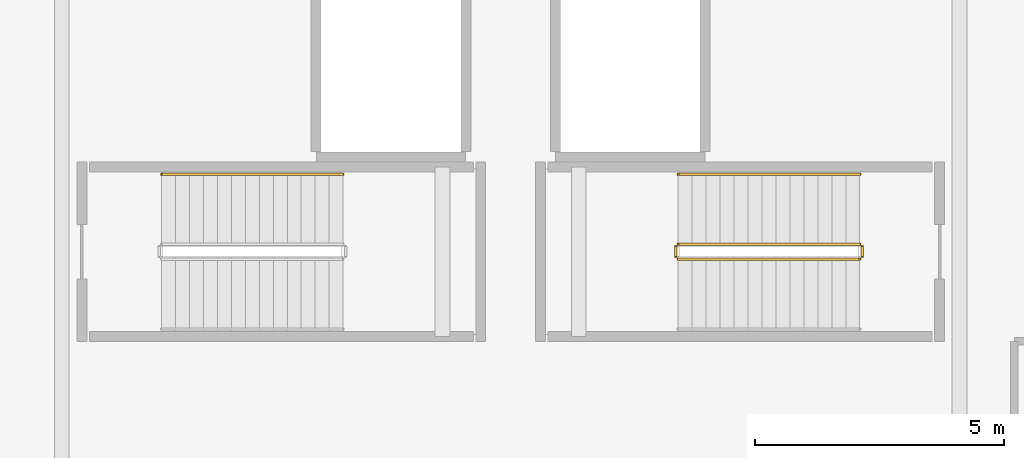
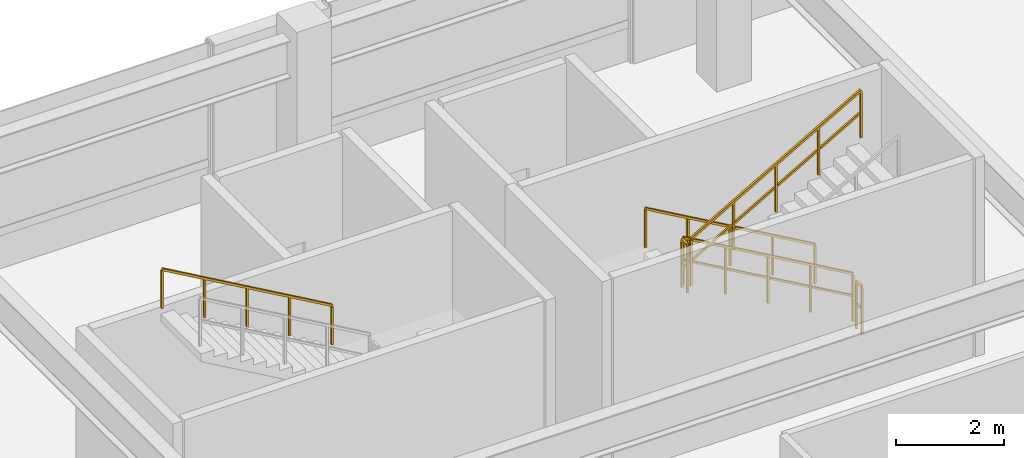
# One storey, part 23 of 24: 6 railings.
"""IFC4 building model written with IfcOpenShell, lengths in metres."""

from ifc_helpers import new_model, si_unit, direction, frame, origin, origin_2d, place, context, subcontext, project, spatial, rectangle, extrude, material, type_object, element, save


model = new_model("IFC4")

# Units and contexts
model_context = context("Model", 3, precision=1e-05, world=origin(), true_north=direction((0.0, 1.0)))
body_context = subcontext(model_context, "Body", "Model", "MODEL_VIEW")
ifc_project = project(units=[si_unit("LENGTHUNIT", "METRE"), si_unit("AREAUNIT", "SQUARE_METRE"), si_unit("VOLUMEUNIT", "CUBIC_METRE"), si_unit("PLANEANGLEUNIT", "RADIAN"), si_unit("MASSUNIT", "GRAM", prefix="KILO")], contexts=[model_context])

# Site, building, storey
site_placement = place(None, origin())
site = spatial("IfcSite", under=ifc_project, at=site_placement, CompositionType="ELEMENT")
building_placement = place(site_placement, origin())
building = spatial("IfcBuilding", under=site, at=building_placement, Name="Thornwick Lancets Civic Towers", CompositionType="ELEMENT")
storey_placement = place(building_placement, frame((0.0, 0.0, 14.10009765625)))
storey = spatial("IfcBuildingStorey", under=building, at=storey_placement, Name="L03", CompositionType="ELEMENT", Elevation=14.10009765625)

# Railings
ifc_material_1 = material(Name="Brushed stainless steel S355", Category="steel")
railing_type_1 = type_object("IfcRailingType", Name="RAIL_HANDRAIL", PredefinedType="HANDRAIL", material=ifc_material_1)
for number, where, name in (
    (1, (53.639892578125, 41.14990234375, 2.41064453125), "L03 ST-P5 stair handrail 2"),
    (2, (64.0, 41.14990234375, 0.16064453125), "L03 ST-P6 stair handrail 1"),
):
    element("IfcRailing", number, at=place(storey_placement, frame(where)), inside=storey, type_object=railing_type_1, Name=name, PredefinedType="HANDRAIL", context=body_context, shape_type="SweptSolid", body=[
        extrude(rectangle(XDim=0.048095703125, YDim=0.048095703125, at=origin_2d()), frame((0.0, 0.0, 0.8857421875), z_axis=(-0.8672749571, 0.0, 0.497829437445), x_axis=(0.0, -1.0, 0.0)), (0.0, 0.0, 1.0), 4.197021484375),
        extrude(rectangle(XDim=0.0419921875, YDim=0.0419921875, at=origin_2d()), origin(), (0.0, 0.0, 1.0), 0.855712890625),
        extrude(rectangle(XDim=0.0419921875, YDim=0.0419921875, at=origin_2d()), frame((-0.909912109375, 0.0, 0.5224609375)), (0.0, 0.0, 1.0), 0.855712890625),
        extrude(rectangle(XDim=0.0419921875, YDim=0.0419921875, at=origin_2d()), frame((-1.81982421875, 0.0, 1.044677734375)), (0.0, 0.0, 1.0), 0.855712890625),
        extrude(rectangle(XDim=0.0419921875, YDim=0.0419921875, at=origin_2d()), frame((-2.72998046875, 0.0, 1.56689453125)), (0.0, 0.0, 1.0), 0.855712890625),
        extrude(rectangle(XDim=0.0419921875, YDim=0.0419921875, at=origin_2d()), frame((-3.639892578125, 0.0, 2.08935546875)), (0.0, 0.0, 1.0), 0.855712890625),
    ])
ifc_material_2 = material(Name="Steel S355JR", Category="steel")
railing_type_2 = type_object("IfcRailingType", Name="RAIL_STAIR_GUARD", PredefinedType="GUARDRAIL", material=ifc_material_2)
railing_1_placement = place(storey_placement, frame((64.0, 39.75, 0.16064453125)))
element("IfcRailing", 3, at=railing_1_placement, inside=storey, type_object=railing_type_2, Name="L03 ST-P6 stair guard 1", PredefinedType="GUARDRAIL", context=body_context, shape_type="SweptSolid", body=[
    extrude(rectangle(XDim=0.048095703125, YDim=0.048095703125, at=origin_2d()), frame((0.0, 0.0, 1.076171875), z_axis=(-0.8672749571, 0.0, 0.497829437445), x_axis=(0.0, -1.0, 0.0)), (0.0, 0.0, 1.0), 4.197021484375),
    extrude(rectangle(XDim=0.0419921875, YDim=0.0419921875, at=origin_2d()), frame((-0.032470703125, 0.0, 0.5908203125), z_axis=(-0.8672749571, 0.0, 0.497829437445), x_axis=(0.0, -1.0, 0.0)), (0.0, 0.0, 1.0), 0.974365234375),
    extrude(rectangle(XDim=0.0419921875, YDim=0.0419921875, at=origin_2d()), frame((-0.9423828125, 0.0, 1.113037109375), z_axis=(-0.8672749571, 0.0, 0.497829437445), x_axis=(0.0, -1.0, 0.0)), (0.0, 0.0, 1.0), 0.974365234375),
    extrude(rectangle(XDim=0.0419921875, YDim=0.0419921875, at=origin_2d()), frame((-1.8525390625, 0.0, 1.635498046875), z_axis=(-0.8672749571, 0.0, 0.497829437445), x_axis=(0.0, -1.0, 0.0)), (0.0, 0.0, 1.0), 0.974365234375),
    extrude(rectangle(XDim=0.0419921875, YDim=0.0419921875, at=origin_2d()), frame((-2.762451171875, 0.0, 2.15771484375), z_axis=(-0.8672749571, 0.0, 0.497829437445), x_axis=(0.0, -1.0, 0.0)), (0.0, 0.0, 1.0), 0.974365234375),
    extrude(rectangle(XDim=0.0419921875, YDim=0.0419921875, at=origin_2d()), origin(), (0.0, 0.0, 1.0), 1.0458984375),
    extrude(rectangle(XDim=0.0419921875, YDim=0.0419921875, at=origin_2d()), frame((-0.909912109375, 0.0, 0.5224609375)), (0.0, 0.0, 1.0), 1.0458984375),
    extrude(rectangle(XDim=0.0419921875, YDim=0.0419921875, at=origin_2d()), frame((-1.81982421875, 0.0, 1.044677734375)), (0.0, 0.0, 1.0), 1.0458984375),
    extrude(rectangle(XDim=0.0419921875, YDim=0.0419921875, at=origin_2d()), frame((-2.72998046875, 0.0, 1.56689453125)), (0.0, 0.0, 1.0), 1.0458984375),
    extrude(rectangle(XDim=0.0419921875, YDim=0.0419921875, at=origin_2d()), frame((-3.639892578125, 0.0, 2.08935546875)), (0.0, 0.0, 1.0), 1.0458984375),
])
railing_2_placement = place(storey_placement, frame((60.31005859375, 39.699951171875, 2.25)))
element("IfcRailing", 4, at=railing_2_placement, inside=storey, type_object=railing_type_2, Name="L03 ST-P6 stair guard 2", PredefinedType="GUARDRAIL", context=body_context, shape_type="SweptSolid", body=[
    extrude(rectangle(XDim=0.048095703125, YDim=0.048095703125, at=origin_2d()), frame((0.0, 0.0, 1.076171875), z_axis=(0.0, -1.0, 0.0), x_axis=(1.0, 0.0, 0.0)), (0.0, 0.0, 1.0), 0.199951171875),
    extrude(rectangle(XDim=0.0419921875, YDim=0.0419921875, at=origin_2d()), frame((0.0, -0.03759765625, 0.572021484375), z_axis=(0.0, -1.0, 0.0), x_axis=(1.0, 0.0, 0.0)), (0.0, 0.0, 1.0), 0.125),
    extrude(rectangle(XDim=0.0419921875, YDim=0.0419921875, at=origin_2d()), origin(), (0.0, 0.0, 1.0), 1.0458984375),
    extrude(rectangle(XDim=0.0419921875, YDim=0.0419921875, at=origin_2d()), frame((0.0, -0.199951171875, 0.0)), (0.0, 0.0, 1.0), 1.0458984375),
])
railing_3_placement = place(storey_placement, frame((60.360107421875, 39.449951171875, 2.41064453125)))
element("IfcRailing", 5, at=railing_3_placement, inside=storey, type_object=railing_type_2, Name="L03 ST-P6 stair guard 3", PredefinedType="GUARDRAIL", context=body_context, shape_type="SweptSolid", body=[
    extrude(rectangle(XDim=0.048095703125, YDim=0.048095703125, at=origin_2d()), frame((0.0, 0.0, 1.076171875), z_axis=(0.8672749571, 0.0, 0.497829437445), x_axis=(0.0, 1.0, 0.0)), (0.0, 0.0, 1.0), 4.197021484375),
    extrude(rectangle(XDim=0.0419921875, YDim=0.0419921875, at=origin_2d()), frame((0.032470703125, 0.0, 0.5908203125), z_axis=(0.8672749571, 0.0, 0.497829437445), x_axis=(0.0, 1.0, 0.0)), (0.0, 0.0, 1.0), 0.974365234375),
    extrude(rectangle(XDim=0.0419921875, YDim=0.0419921875, at=origin_2d()), frame((0.9423828125, 0.0, 1.113037109375), z_axis=(0.8672749571, 0.0, 0.497829437445), x_axis=(0.0, 1.0, 0.0)), (0.0, 0.0, 1.0), 0.974365234375),
    extrude(rectangle(XDim=0.0419921875, YDim=0.0419921875, at=origin_2d()), frame((1.8525390625, 0.0, 1.635498046875), z_axis=(0.8672749571, 0.0, 0.497829437445), x_axis=(0.0, 1.0, 0.0)), (0.0, 0.0, 1.0), 0.974365234375),
    extrude(rectangle(XDim=0.0419921875, YDim=0.0419921875, at=origin_2d()), frame((2.762451171875, 0.0, 2.15771484375), z_axis=(0.8672749571, 0.0, 0.497829437445), x_axis=(0.0, 1.0, 0.0)), (0.0, 0.0, 1.0), 0.974365234375),
    extrude(rectangle(XDim=0.0419921875, YDim=0.0419921875, at=origin_2d()), origin(), (0.0, 0.0, 1.0), 1.0458984375),
    extrude(rectangle(XDim=0.0419921875, YDim=0.0419921875, at=origin_2d()), frame((0.909912109375, 0.0, 0.5224609375)), (0.0, 0.0, 1.0), 1.0458984375),
    extrude(rectangle(XDim=0.0419921875, YDim=0.0419921875, at=origin_2d()), frame((1.81982421875, 0.0, 1.044677734375)), (0.0, 0.0, 1.0), 1.0458984375),
    extrude(rectangle(XDim=0.0419921875, YDim=0.0419921875, at=origin_2d()), frame((2.72998046875, 0.0, 1.56689453125)), (0.0, 0.0, 1.0), 1.0458984375),
    extrude(rectangle(XDim=0.0419921875, YDim=0.0419921875, at=origin_2d()), frame((3.639892578125, 0.0, 2.08935546875)), (0.0, 0.0, 1.0), 1.0458984375),
])
railing_4_placement = place(storey_placement, frame((64.050048828125, 39.699951171875, 0.0)))
element("IfcRailing", 6, at=railing_4_placement, inside=storey, type_object=railing_type_2, Name="L03 ST-P6 stair guard 4", PredefinedType="GUARDRAIL", context=body_context, shape_type="SweptSolid", body=[
    extrude(rectangle(XDim=0.048095703125, YDim=0.048095703125, at=origin_2d()), frame((0.0, 0.0, 1.076171875), z_axis=(0.0, -1.0, 0.0), x_axis=(1.0, 0.0, 0.0)), (0.0, 0.0, 1.0), 0.199951171875),
    extrude(rectangle(XDim=0.0419921875, YDim=0.0419921875, at=origin_2d()), frame((0.0, -0.03759765625, 0.572021484375), z_axis=(0.0, -1.0, 0.0), x_axis=(1.0, 0.0, 0.0)), (0.0, 0.0, 1.0), 0.125),
    extrude(rectangle(XDim=0.0419921875, YDim=0.0419921875, at=origin_2d()), origin(), (0.0, 0.0, 1.0), 1.0458984375),
    extrude(rectangle(XDim=0.0419921875, YDim=0.0419921875, at=origin_2d()), frame((0.0, -0.199951171875, 0.0)), (0.0, 0.0, 1.0), 1.0458984375),
])

save(model, "model.ifc")
